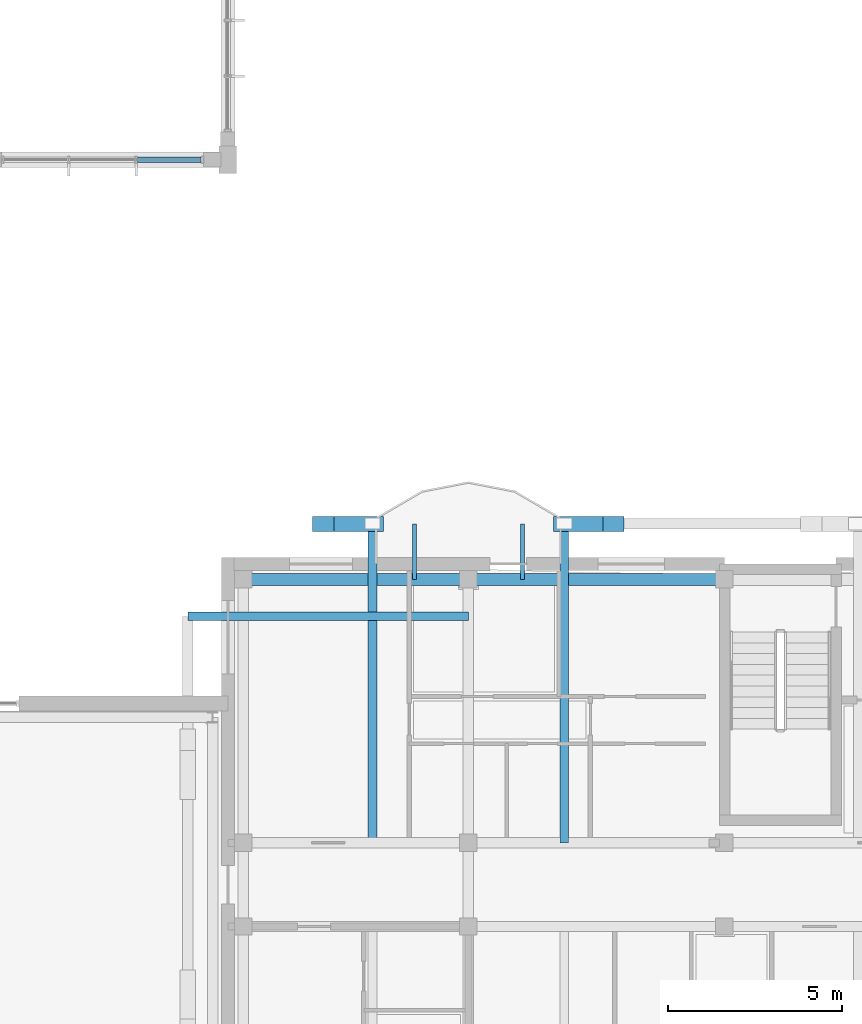
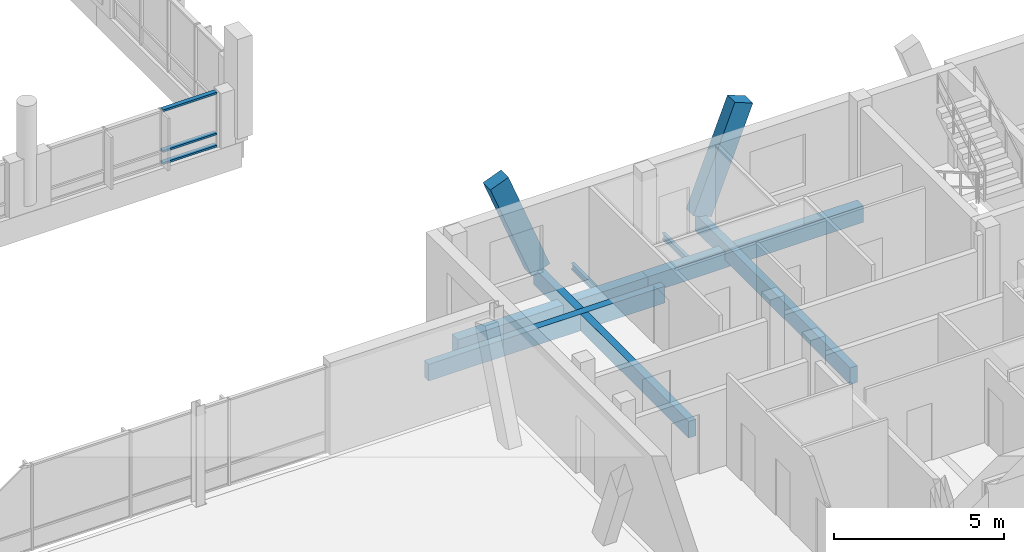
# One storey, part 60 of 189: 7 beams, 5 members, 1 element without a shape of its own.
"""IFC4 building model written with IfcOpenShell, lengths in metres."""

from ifc_helpers import new_model, si_unit, direction, frame, origin, origin_2d, place, context, subcontext, project, spatial, rectangle, hollow_rectangle, i_section, extrude, material, material_profile, profile_set, type_object, element, aggregate, save


model = new_model("IFC4")

# Units and contexts
model_context = context("Model", 3, precision=1e-05, world=origin(), true_north=direction((0.0, 1.0)))
body_context = subcontext(model_context, "Body", "Model", "MODEL_VIEW")
ifc_project = project(units=[si_unit("LENGTHUNIT", "METRE"), si_unit("AREAUNIT", "SQUARE_METRE"), si_unit("VOLUMEUNIT", "CUBIC_METRE"), si_unit("PLANEANGLEUNIT", "RADIAN"), si_unit("MASSUNIT", "GRAM", prefix="KILO")], contexts=[model_context])

# Site, building, storey
site_placement = place(None, origin())
site = spatial("IfcSite", under=ifc_project, at=site_placement, CompositionType="ELEMENT")
building_placement = place(site_placement, origin())
building = spatial("IfcBuilding", under=site, at=building_placement, Name="Zavelmont Quarter", CompositionType="ELEMENT")
storey_placement = place(building_placement, frame((0.0, 0.0, 4.39990234375)))
storey = spatial("IfcBuildingStorey", under=building, at=storey_placement, Name="L01", CompositionType="ELEMENT", Elevation=4.39990234375)

# Beams
ifc_material_1 = material(Name="Concrete C35/45", Category="concrete")
ifc_material_profile_1 = material_profile(ifc_material_1, rectangle(XDim=0.35009765625, YDim=0.60009765625, at=origin_2d()), Name="RC350X600")
ifc_profile_set_1 = profile_set([ifc_material_profile_1], Name="Concrete C35/45")
beam_type_1 = type_object("IfcBeamType", Name="BM01", PredefinedType="SPANDREL", material=ifc_profile_set_1)
beam_1_placement = place(storey_placement, frame((113.239990234375, 17.9599609375, -0.579833984375), z_axis=(1.0, 0.0, 0.0), x_axis=(0.0, 1.0, 0.0)))
element("IfcBeam", 1, at=beam_1_placement, inside=storey, type_object=beam_type_1, Name="L01 beam BM01 17/D to 18/D", PredefinedType="SPANDREL", context=body_context, shape_type="SweptSolid", body=[
    extrude(rectangle(XDim=0.35009765625, YDim=0.60009765625, at=origin_2d()), origin(), (0.0, 0.0, 1.0), 6.4599609375),
])
beam_2_placement = place(storey_placement, frame((119.699951171875, 17.9599609375, -0.579833984375), z_axis=(1.0, 0.0, 0.0), x_axis=(0.0, 1.0, 0.0)))
element("IfcBeam", 2, at=beam_2_placement, inside=storey, type_object=beam_type_1, Name="L01 beam BM01 18/D to 19/D", PredefinedType="SPANDREL", context=body_context, shape_type="SweptSolid", body=[
    extrude(rectangle(XDim=0.35009765625, YDim=0.60009765625, at=origin_2d()), origin(), (0.0, 0.0, 1.0), 7.340087890625),
])
ifc_material_2 = material(Name="Steel S355", Category="steel")
ifc_material_profile_2 = material_profile(ifc_material_2, i_section(OverallWidth=0.110107421875, OverallDepth=0.219970703125, WebThickness=0.005859375, FlangeThickness=0.00927734375, at=origin_2d()), Name="IPE 220")
ifc_profile_set_2 = profile_set([ifc_material_profile_2], Name="Steel S355")
beam_type_2 = type_object("IfcBeamType", Name="BM15", PredefinedType="JOIST", material=ifc_profile_set_2)
for number, where, z_axis, x_axis, name in (
    (3, (118.14990234375, 17.9599609375, -0.391845703125), (0.0, 1.0, 0.0), (-1.0, 0.0, 0.0), "L01 beam BM15 18/D to 18/D"),
    (4, (121.25, 17.9599609375, -0.391845703125), (0.0, 1.0, 0.0), (-1.0, 0.0, 0.0), "L01 beam BM15 18/D to 18/D"),
):
    element("IfcBeam", number, at=place(storey_placement, frame(where, z_axis=z_axis, x_axis=x_axis)), inside=storey, type_object=beam_type_2, Name=name, PredefinedType="JOIST", context=body_context, shape_type="SweptSolid", body=[
        extrude(i_section(OverallWidth=0.110107421875, OverallDepth=0.219970703125, WebThickness=0.005859375, FlangeThickness=0.00927734375, at=origin_2d()), origin(), (0.0, 0.0, 1.0), 1.590087890625),
    ])
ifc_material_3 = material(Name="Concrete C40/50", Category="concrete")
ifc_material_profile_3 = material_profile(ifc_material_3, rectangle(XDim=0.25, YDim=0.60009765625, at=origin_2d()), Name="RC250X600")
ifc_profile_set_3 = profile_set([ifc_material_profile_3], Name="Concrete C40/50")
beam_type_3 = type_object("IfcBeamType", Name="BM18", PredefinedType="BEAM", material=ifc_profile_set_3)
for number, where, z_axis, x_axis, name in (
    (5, (116.9501953125, 10.39990234375, -0.2998046875), (0.0, 1.0, 0.0), (-1.0, 0.0, 0.0), "L01 beam BM18 18/C to 18/D"),
    (6, (122.449951171875, 10.39990234375, -0.2998046875), (0.0, 1.0, 0.0), (-1.0, 0.0, 0.0), "L01 beam BM18 18/C to 18/D"),
):
    element("IfcBeam", number, at=place(storey_placement, frame(where, z_axis=z_axis, x_axis=x_axis)), inside=storey, type_object=beam_type_3, Name=name, PredefinedType="BEAM", context=body_context, shape_type="SweptSolid", body=[
        extrude(rectangle(XDim=0.25, YDim=0.60009765625, at=origin_2d()), origin(), (0.0, 0.0, 1.0), 9.150146484375),
    ])
beam_3_placement = place(storey_placement, frame((119.699951171875, 16.89990234375, -0.2998046875), z_axis=(-1.0, 0.0, 0.0), x_axis=(0.0, -1.0, 0.0)))
element("IfcBeam", 7, at=beam_3_placement, inside=storey, type_object=beam_type_3, Name="L01 beam BM18 18/D to 17/D", PredefinedType="BEAM", context=body_context, shape_type="SweptSolid", body=[
    extrude(rectangle(XDim=0.25, YDim=0.60009765625, at=origin_2d()), origin(), (0.0, 0.0, 1.0), 8.050048828125),
])

# Curtain wall, members
ifc_material_4 = material(Name="Thermally broken aluminium and double low-E safety glazing", Category="aluminium")
curtain_wall_type = type_object("IfcCurtainWallType", Name="CW-580X198", PredefinedType="NOTDEFINED", material=ifc_material_4)
curtain_wall_placement = place(storey_placement, origin())
curtain_wall = element("IfcCurtainWall", 8, at=curtain_wall_placement, inside=storey, type_object=curtain_wall_type, Name="L01 unitised curtain wall CW-580X198", PredefinedType="NOTDEFINED")
ifc_material_5 = material(Name="Powder-coated aluminium EN AW-6063-T6", Category="aluminium")
ifc_material_profile_4 = material_profile(ifc_material_5, hollow_rectangle(XDim=0.14990234375, YDim=0.070068359375, WallThickness=0.00439453125, at=origin_2d()), Name="CWT70X150")
ifc_profile_set_4 = profile_set([ifc_material_profile_4], Name="Powder-coated aluminium EN AW-6063-T6")
member_type_1 = type_object("IfcMemberType", Name="CWT02", PredefinedType="NOTDEFINED", material=ifc_profile_set_4)
member_1_placement = place(storey_placement, frame((110.20166015625, 30.0, -0.244873046875), z_axis=(1.0, 0.0, 0.0), x_axis=(0.0, 1.0, 0.0)))
member_1 = element("IfcMember", 9, at=member_1_placement, type_object=member_type_1, Name="CW-580X198 transom 3.1", ObjectType="TRANSOM", PredefinedType="USERDEFINED", context=body_context, shape_type="SweptSolid", body=[
    extrude(hollow_rectangle(XDim=0.14990234375, YDim=0.070068359375, WallThickness=0.00439453125, at=origin_2d()), origin(), (0.0, 0.0, 1.0), 1.828369140625),
])
member_2_placement = place(storey_placement, frame((110.20166015625, 30.0, 0.194091796875), z_axis=(1.0, 0.0, 0.0), x_axis=(0.0, 1.0, 0.0)))
member_2 = element("IfcMember", 10, at=member_2_placement, type_object=member_type_1, Name="CW-580X198 transom 3.2", ObjectType="TRANSOM", PredefinedType="USERDEFINED", context=body_context, shape_type="SweptSolid", body=[
    extrude(hollow_rectangle(XDim=0.14990234375, YDim=0.070068359375, WallThickness=0.00439453125, at=origin_2d()), origin(), (0.0, 0.0, 1.0), 1.828369140625),
])
member_3_placement = place(storey_placement, frame((110.20166015625, 30.0, 1.66015625), z_axis=(1.0, 0.0, 0.0), x_axis=(0.0, 1.0, 0.0)))
member_3 = element("IfcMember", 11, at=member_3_placement, type_object=member_type_1, Name="CW-580X198 transom 3.3", ObjectType="TRANSOM", PredefinedType="USERDEFINED", context=body_context, shape_type="SweptSolid", body=[
    extrude(hollow_rectangle(XDim=0.14990234375, YDim=0.070068359375, WallThickness=0.00439453125, at=origin_2d()), origin(), (0.0, 0.0, 1.0), 1.828369140625),
])
aggregate(curtain_wall, [member_1, member_2, member_3])

# Members
ifc_material_6 = material(Name="White architectural precast concrete C40/50", Category="concrete")
ifc_material_profile_5 = material_profile(ifc_material_6, rectangle(XDim=0.43994140625, YDim=0.659912109375, at=origin_2d()), Name="PCR320X480")
ifc_profile_set_5 = profile_set([ifc_material_profile_5], Name="White architectural precast concrete C40/50")
member_type_2 = type_object("IfcMemberType", Name="VR01M", PredefinedType="CHORD", material=ifc_profile_set_5)
for number, where, z_axis, x_axis, name in (
    (12, (116.9501953125, 19.550048828125, 0.0), (-0.365156192686, 0.0, 0.930946268559), (0.0, -1.0, 0.0), "L01 member VR01M 18/D to 17/D"),
    (13, (122.449951171875, 19.550048828125, 0.0), (0.365156192686, 0.0, 0.930946268559), (0.0, 1.0, 0.0), "L01 member VR01M 18/D to 19/D"),
):
    element("IfcMember", number, at=place(storey_placement, frame(where, z_axis=z_axis, x_axis=x_axis)), inside=storey, type_object=member_type_2, Name=name, PredefinedType="CHORD", context=body_context, shape_type="SweptSolid", body=[
        extrude(rectangle(XDim=0.43994140625, YDim=0.659912109375, at=origin_2d()), origin(), (0.0, 0.0, 1.0), 3.8671875),
    ])

save(model, "model.ifc")
